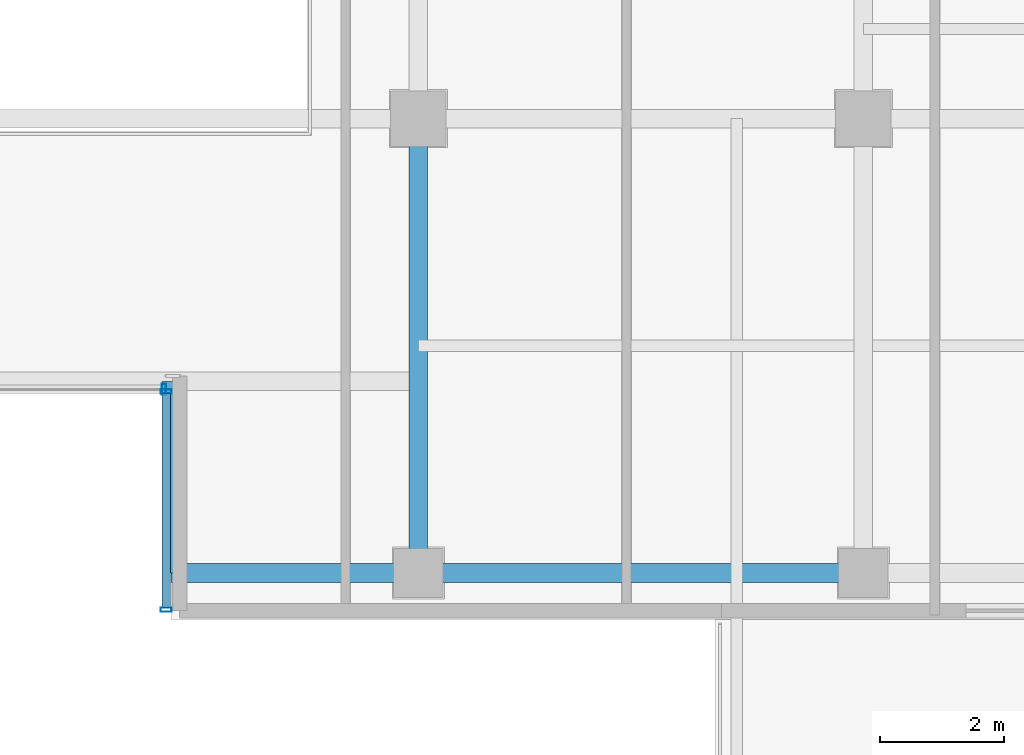
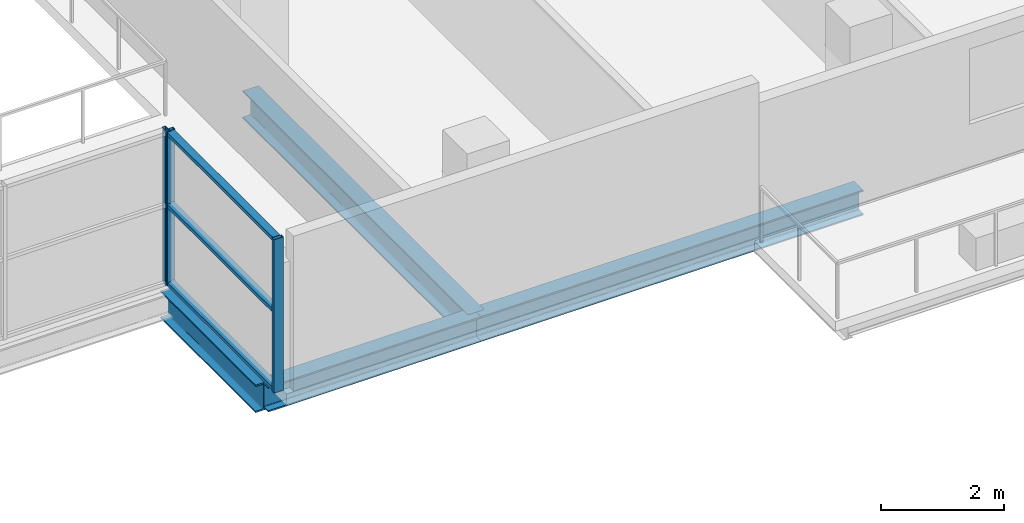
# One storey, part 11 of 27: 6 members, 4 beams, 2 elements without a shape of their own.
"""IFC4 building model written with IfcOpenShell, lengths in metres."""

from ifc_helpers import new_model, si_unit, direction, frame, origin, origin_2d, place, context, subcontext, project, spatial, hollow_rectangle, i_section, extrude, source, transform, mapped, material, layer, layer_set, material_profile, profile_set, type_object, element, aggregate, save


model = new_model("IFC4")

# Units and contexts
model_context = context("Model", 3, precision=1e-05, world=origin(), true_north=direction((0.0, 1.0)))
body_context = subcontext(model_context, "Body", "Model", "MODEL_VIEW")
ifc_project = project(units=[si_unit("LENGTHUNIT", "METRE"), si_unit("AREAUNIT", "SQUARE_METRE"), si_unit("VOLUMEUNIT", "CUBIC_METRE"), si_unit("PLANEANGLEUNIT", "RADIAN"), si_unit("MASSUNIT", "GRAM", prefix="KILO")], contexts=[model_context])

# Site, building, storey
site_placement = place(None, origin())
site = spatial("IfcSite", under=ifc_project, at=site_placement, CompositionType="ELEMENT")
building_placement = place(site_placement, origin())
building = spatial("IfcBuilding", under=site, at=building_placement, Name="Zarnakvel Exchange Tower", CompositionType="ELEMENT")
storey_placement = place(building_placement, frame((0.0, 0.0, 106.60009765625)))
storey = spatial("IfcBuildingStorey", under=building, at=storey_placement, Name="L29", CompositionType="ELEMENT", Elevation=106.60009765625)

# Beams
ifc_material_1 = material(Name="Steel S355", Category="steel")
ifc_material_profile_1 = material_profile(ifc_material_1, i_section(OverallWidth=0.300048828125, OverallDepth=0.550048828125, WebThickness=0.014892578125, FlangeThickness=0.029052734375, FilletRadius=0.027099609375, at=origin_2d()))
ifc_profile_set_1 = profile_set([ifc_material_profile_1], Name="Steel S355")
beam_type_1 = type_object("IfcBeamType", Name="G-05", PredefinedType="BEAM", material=ifc_profile_set_1)
beam_1_placement = place(storey_placement, frame((3.199951171875, -16.949951171875, -0.5), z_axis=(0.0, 1.0, 0.0), x_axis=(-1.0, 0.0, 0.0)))
element("IfcBeam", 1, at=beam_1_placement, inside=storey, type_object=beam_type_1, Name="L29 South Slot East Cheek Beam", PredefinedType="BEAM", context=body_context, shape_type="SweptSolid", body=[
    extrude(i_section(OverallWidth=0.300048828125, OverallDepth=0.550048828125, WebThickness=0.014892578125, FlangeThickness=0.029052734375, FilletRadius=0.027099609375, at=origin_2d()), origin(), (0.0, 0.0, 1.0), 3.099853515625),
])
beam_2_placement = place(storey_placement, frame((7.199951171875, -16.949951171875, -0.5), z_axis=(0.0, 1.0, 0.0), x_axis=(-1.0, 0.0, 0.0)))
element("IfcBeam", 2, at=beam_2_placement, inside=storey, type_object=beam_type_1, Name="L29 Tower N-S Frame Beam", PredefinedType="BEAM", context=body_context, shape_type="SweptSolid", body=[
    extrude(i_section(OverallWidth=0.300048828125, OverallDepth=0.550048828125, WebThickness=0.014892578125, FlangeThickness=0.029052734375, FilletRadius=0.027099609375, at=origin_2d()), origin(), (0.0, 0.0, 1.0), 7.349853515625),
])
ifc_material_profile_2 = material_profile(ifc_material_1, i_section(OverallWidth=0.300048828125, OverallDepth=0.5, WebThickness=0.014404296875, FlangeThickness=0.028076171875, FilletRadius=0.027099609375, at=origin_2d()))
ifc_profile_set_2 = profile_set([ifc_material_profile_2], Name="Steel S355")
beam_type_2 = type_object("IfcBeamType", Name="SP-02", PredefinedType="SPANDREL", material=ifc_profile_set_2)
beam_3_placement = place(storey_placement, frame((3.199951171875, -16.949951171875, -0.47509765625), z_axis=(1.0, 0.0, 0.0), x_axis=(0.0, 1.0, 0.0)))
element("IfcBeam", 3, at=beam_3_placement, inside=storey, type_object=beam_type_2, Name="L29 South Slot East Jamb Spandrel", PredefinedType="SPANDREL", context=body_context, shape_type="SweptSolid", body=[
    extrude(i_section(OverallWidth=0.300048828125, OverallDepth=0.5, WebThickness=0.014404296875, FlangeThickness=0.028076171875, FilletRadius=0.027099609375, at=origin_2d()), origin(), (0.0, 0.0, 1.0), 4.0),
])
beam_4_placement = place(storey_placement, frame((7.199951171875, -16.949951171875, -0.47509765625), z_axis=(1.0, 0.0, 0.0), x_axis=(0.0, 1.0, 0.0)))
element("IfcBeam", 4, at=beam_4_placement, inside=storey, type_object=beam_type_2, Name="L29 Tower E-W Frame Beam", PredefinedType="SPANDREL", context=body_context, shape_type="SweptSolid", body=[
    extrude(i_section(OverallWidth=0.300048828125, OverallDepth=0.5, WebThickness=0.014404296875, FlangeThickness=0.028076171875, FilletRadius=0.027099609375, at=origin_2d()), origin(), (0.0, 0.0, 1.0), 7.199951171875),
])

# Curtain wall, members
ifc_material_2 = material(Name="Architectural Bronze Anodised Aluminium", Category="aluminium")
ifc_layer = layer(ifc_material_2, 0.179931640625)
ifc_layer_set = layer_set([ifc_layer], Name="Architectural Bronze Anodised Aluminium")
curtain_wall_type = type_object("IfcCurtainWallType", Name="CW-05", PredefinedType="NOTDEFINED", material=ifc_layer_set)
curtain_wall_1_placement = place(storey_placement, origin())
curtain_wall_1 = element("IfcCurtainWall", 5, at=curtain_wall_1_placement, inside=storey, type_object=curtain_wall_type, Name="L29 Curtain Wall CW-L29-SLE (CW-05)", PredefinedType="NOTDEFINED")
ifc_material_profile_3 = material_profile(ifc_material_2, hollow_rectangle(XDim=0.139892578125, YDim=0.070068359375, WallThickness=0.00390625, at=origin_2d()))
ifc_profile_set_3 = profile_set([ifc_material_profile_3], Name="Architectural Bronze Anodised Aluminium")
member_type_1 = type_object("IfcMemberType", Name="CWT-05", PredefinedType="USERDEFINED", material=ifc_profile_set_3)
shared_shape_1 = source(origin(), body_context, "Body", "SweptSolid", [
    extrude(hollow_rectangle(XDim=0.139892578125, YDim=0.070068359375, WallThickness=0.00390625, at=origin_2d()), origin(), (0.0, 0.0, 1.0), 3.4599609375),
])
member_1_placement = place(storey_placement, frame((3.1201171875, -14.050048828125, 0.034912109375), z_axis=(0.0, -1.0, 0.0), x_axis=(1.0, 0.0, 0.0)))
member_1 = element("IfcMember", 6, at=member_1_placement, type_object=member_type_1, Name="CW-05 transom 1.1", ObjectType="TRANSOM", PredefinedType="USERDEFINED", context=body_context, shape_type="MappedRepresentation", body=[
    mapped(shared_shape_1, transform((0.0, 0.0, 0.0), x_axis=(1.0, 0.0, 0.0), y_axis=(0.0, 1.0, 0.0), z_axis=(0.0, 0.0, 1.0), scale=1.0)),
])
member_2_placement = place(storey_placement, frame((3.1201171875, -14.050048828125, 1.588623046875), z_axis=(0.0, -1.0, 0.0), x_axis=(1.0, 0.0, 0.0)))
member_2 = element("IfcMember", 7, at=member_2_placement, type_object=member_type_1, Name="CW-05 transom 1.2", ObjectType="TRANSOM", PredefinedType="USERDEFINED", context=body_context, shape_type="MappedRepresentation", body=[
    mapped(shared_shape_1, transform((0.0, 0.0, 0.0), x_axis=(1.0, 0.0, 0.0), y_axis=(0.0, 1.0, 0.0), z_axis=(0.0, 0.0, 1.0), scale=1.0)),
])
member_3_placement = place(storey_placement, frame((3.1201171875, -14.050048828125, 3.02001953125), z_axis=(0.0, -1.0, 0.0), x_axis=(1.0, 0.0, 0.0)))
member_3 = element("IfcMember", 8, at=member_3_placement, type_object=member_type_1, Name="CW-05 transom 1.3", ObjectType="TRANSOM", PredefinedType="USERDEFINED", context=body_context, shape_type="MappedRepresentation", body=[
    mapped(shared_shape_1, transform((0.0, 0.0, 0.0), x_axis=(1.0, 0.0, 0.0), y_axis=(0.0, 1.0, 0.0), z_axis=(0.0, 0.0, 1.0), scale=1.0)),
])

# Curtain wall, member
curtain_wall_2_placement = place(storey_placement, origin())
curtain_wall_2 = element("IfcCurtainWall", 9, at=curtain_wall_2_placement, inside=storey, type_object=curtain_wall_type, Name="L29 Curtain Wall CW-L29-SLB (CW-05)", PredefinedType="NOTDEFINED")
ifc_material_profile_4 = material_profile(ifc_material_2, hollow_rectangle(XDim=0.179931640625, YDim=0.070068359375, WallThickness=0.00390625, at=origin_2d()))
ifc_profile_set_4 = profile_set([ifc_material_profile_4], Name="Architectural Bronze Anodised Aluminium")
member_type_2 = type_object("IfcMemberType", Name="CWM-05", PredefinedType="MULLION", material=ifc_profile_set_4)
shared_shape_2 = source(origin(), body_context, "Body", "SweptSolid", [
    extrude(hollow_rectangle(XDim=0.179931640625, YDim=0.070068359375, WallThickness=0.00390625, at=origin_2d()), origin(), (0.0, 0.0, 1.0), 3.054931640625),
])
member_4_placement = place(storey_placement, frame((3.0849609375, -13.97998046875, 0.0), z_axis=(0.0, 0.0, 1.0), x_axis=(0.0, 1.0, 0.0)))
member_4 = element("IfcMember", 10, at=member_4_placement, type_object=member_type_2, Name="CW-05 mullion 3", PredefinedType="MULLION", context=body_context, shape_type="MappedRepresentation", body=[
    mapped(shared_shape_2, transform((0.0, 0.0, 0.0), x_axis=(1.0, 0.0, 0.0), y_axis=(0.0, 1.0, 0.0), z_axis=(0.0, 0.0, 1.0), scale=1.0)),
])
aggregate(curtain_wall_2, [member_4])

# Member
member_5_placement = place(storey_placement, frame((3.1201171875, -14.014892578125, 0.0), z_axis=(0.0, 0.0, 1.0), x_axis=(1.0, 0.0, 0.0)))
member_5 = element("IfcMember", 11, at=member_5_placement, type_object=member_type_2, Name="CW-05 mullion 1", PredefinedType="MULLION", context=body_context, shape_type="MappedRepresentation", body=[
    mapped(shared_shape_2, transform((0.0, 0.0, 0.0), x_axis=(1.0, 0.0, 0.0), y_axis=(0.0, 1.0, 0.0), z_axis=(0.0, 0.0, 1.0), scale=1.0)),
])

member_6_placement = place(storey_placement, frame((3.1201171875, -17.544921875, 0.0), z_axis=(0.0, 0.0, 1.0), x_axis=(1.0, 0.0, 0.0)))
member_6 = element("IfcMember", 12, at=member_6_placement, type_object=member_type_2, Name="CW-05 mullion 2", PredefinedType="MULLION", context=body_context, shape_type="MappedRepresentation", body=[
    mapped(shared_shape_2, transform((0.0, 0.0, 0.0), x_axis=(1.0, 0.0, 0.0), y_axis=(0.0, 1.0, 0.0), z_axis=(0.0, 0.0, 1.0), scale=1.0)),
])

aggregate(curtain_wall_1, [member_5, member_6, member_1, member_2, member_3])

save(model, "model.ifc")
